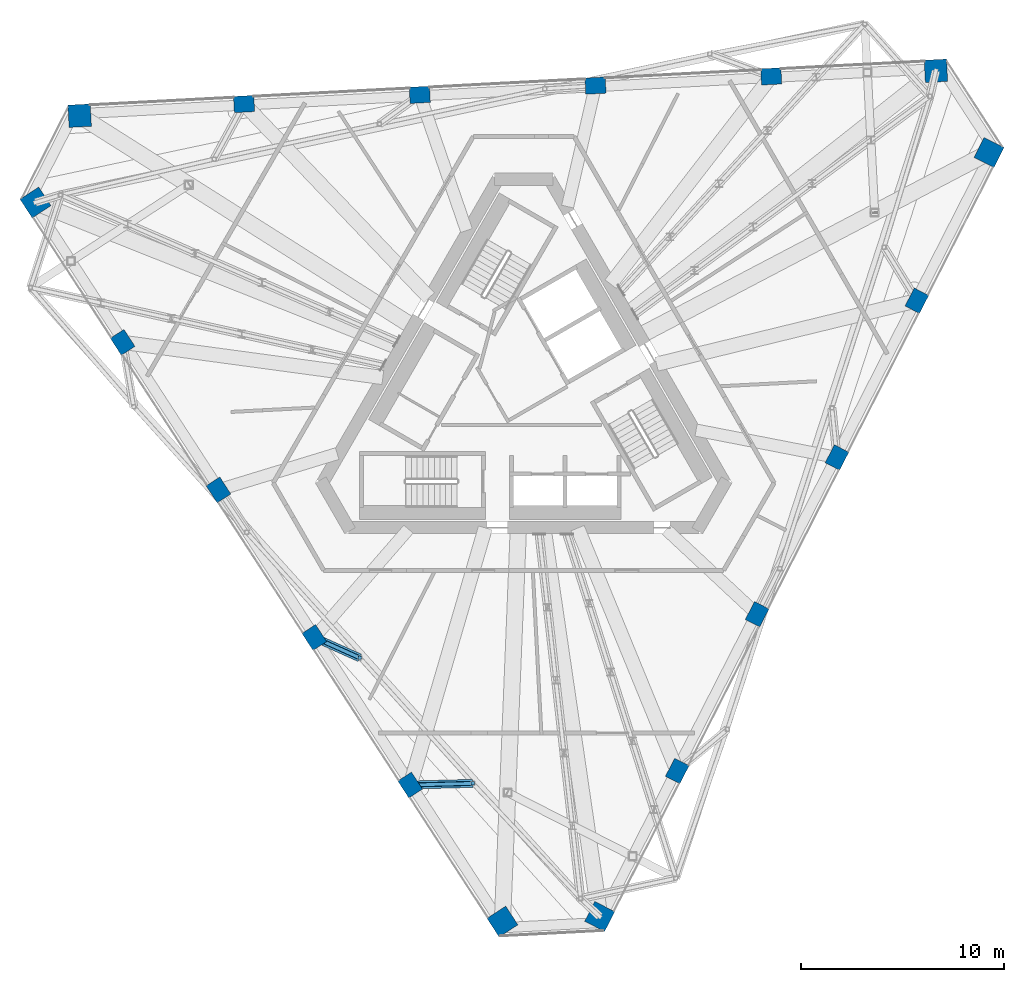
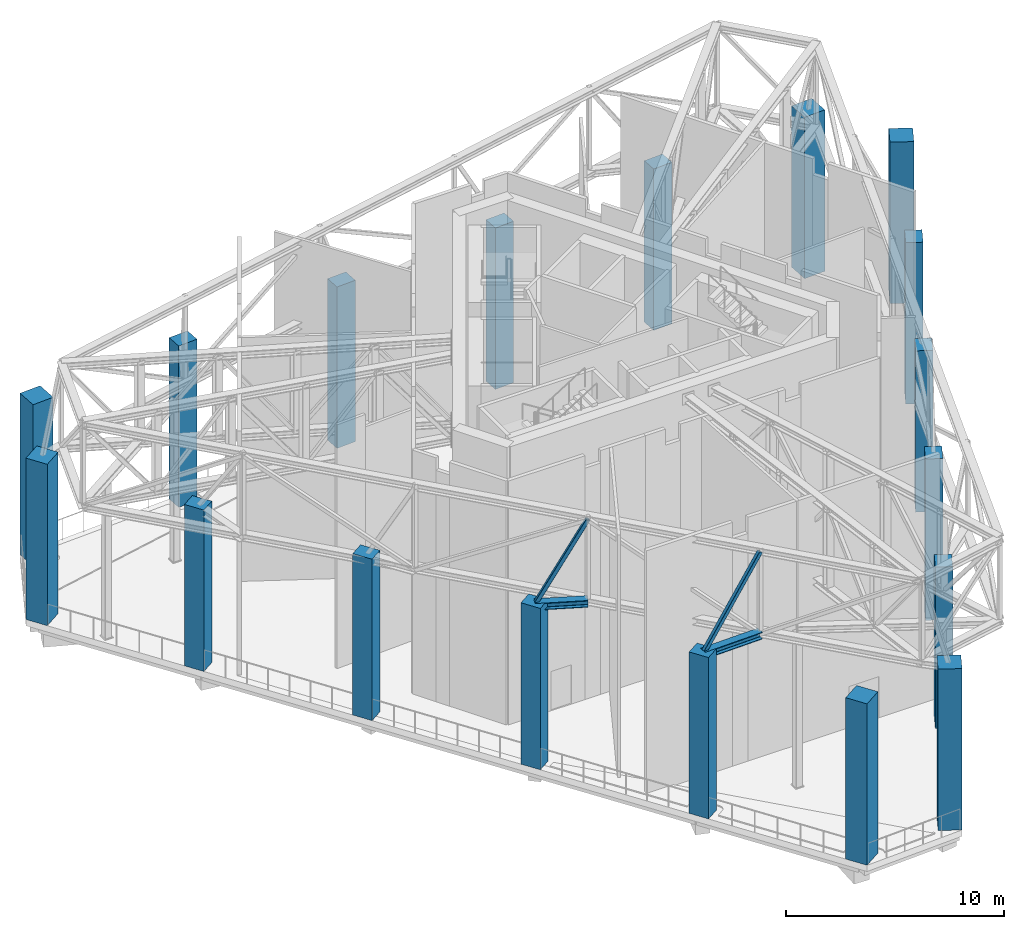
# One storey, part 1 of 23: 18 columns, 4 members.
"""IFC4 building model written with IfcOpenShell, lengths in metres."""

from ifc_helpers import new_model, si_unit, direction, frame, origin, origin_2d, place, context, subcontext, project, spatial, rectangle, hollow_rectangle, i_section, extrude, material, material_profile, profile_set, type_object, element, save


model = new_model("IFC4")

# Units and contexts
model_context = context("Model", 3, precision=1e-05, world=origin(), true_north=direction((0.0, 1.0)))
body_context = subcontext(model_context, "Body", "Model", "MODEL_VIEW")
ifc_project = project(units=[si_unit("LENGTHUNIT", "METRE"), si_unit("AREAUNIT", "SQUARE_METRE"), si_unit("VOLUMEUNIT", "CUBIC_METRE"), si_unit("PLANEANGLEUNIT", "RADIAN"), si_unit("MASSUNIT", "GRAM", prefix="KILO")], contexts=[model_context])

# Site, building, storey
site_placement = place(None, origin())
site = spatial("IfcSite", under=ifc_project, at=site_placement, CompositionType="ELEMENT")
building_placement = place(site_placement, origin())
building = spatial("IfcBuilding", under=site, at=building_placement, Name="Tramontana Tower", CompositionType="ELEMENT")
storey_placement = place(building_placement, frame((0.0, 0.0, 306.39990234375)))
storey = spatial("IfcBuildingStorey", under=building, at=storey_placement, Name="L72", CompositionType="ELEMENT", Elevation=306.39990234375)

# Columns
ifc_material_1 = material(Name="Concrete 55 MPa", Category="concrete")
ifc_material_profile_1 = material_profile(ifc_material_1, rectangle(XDim=1.10009765625, YDim=1.10009765625, at=origin_2d()), Name="Mega column 1100X1100 55 MPa")
ifc_profile_set_1 = profile_set([ifc_material_profile_1], Name="Concrete 55 MPa")
column_type_1 = type_object("IfcColumnType", Name="Mega column 1100X1100 55 MPa", PredefinedType="COLUMN", material=ifc_profile_set_1)
for number, where, z_axis, x_axis, name in (
    (1, (-24.0302734375, 9.55419921875, 0.0), (0.0, 0.0, 1.0), (0.544639035015, -0.838670567945, 0.0), "Mega column C7K1 L72"),
    (2, (-1.0458984375, -25.8388671875, 0.0), (0.0, 0.0, 1.0), (0.544639035015, -0.838670567945, 0.0), "Mega column C7K2 L72"),
    (3, (3.740966796875, -25.587890625, 0.0), (0.0, 0.0, 1.0), (0.45399049974, 0.891006524188, 0.0), "Mega column C7K3 L72"),
    (4, (22.900146484375, 12.013671875, 0.0), (0.0, 0.0, 1.0), (0.45399049974, 0.891006524188, 0.0), "Mega column C7K4 L72"),
    (5, (20.289306640625, 16.033935546875, 0.0), (0.0, 0.0, 1.0), (-0.998629534755, -0.052335956243, 0.0), "Mega column C7K5 L72"),
    (6, (-21.854248046875, 13.8251953125, 0.0), (0.0, 0.0, 1.0), (-0.998629534755, -0.052335956243, 0.0), "Mega column C7K6 L72"),
):
    element("IfcColumn", number, at=place(storey_placement, frame(where, z_axis=z_axis, x_axis=x_axis)), inside=storey, type_object=column_type_1, Name=name, PredefinedType="COLUMN", context=body_context, shape_type="SweptSolid", body=[
        extrude(rectangle(XDim=1.10009765625, YDim=1.10009765625, at=origin_2d()), origin(), (0.0, 0.0, 1.0), 9.037353515625),
    ])
ifc_material_2 = material(Name="Concrete 55 MPa", Category="concrete")
ifc_material_profile_2 = material_profile(ifc_material_2, rectangle(XDim=1.0, YDim=0.800048828125, at=origin_2d()), Name="Pier column 1000X800 55 MPa")
ifc_profile_set_2 = profile_set([ifc_material_profile_2], Name="Concrete 55 MPa")
column_type_2 = type_object("IfcColumnType", Name="Pier column 1000X800 55 MPa", PredefinedType="COLUMN", material=ifc_profile_set_2)
for number, where, z_axis, x_axis, name in (
    (7, (-19.739013671875, 2.670654296875, 0.0), (0.0, 0.0, 1.0), (0.544639035015, -0.838670567945, 0.0), "Pier column C7F01 L72"),
    (8, (-15.022216796875, -4.592529296875, 0.0), (0.0, 0.0, 1.0), (0.544639035015, -0.838670567945, 0.0), "Pier column C7F02 L72"),
    (9, (-10.3056640625, -11.855712890625, 0.0), (0.0, 0.0, 1.0), (0.544639035015, -0.838670567945, 0.0), "Pier column C7F03 L72"),
    (10, (-5.5888671875, -19.11865234375, 0.0), (0.0, 0.0, 1.0), (0.544639035015, -0.838670567945, 0.0), "Pier column C7F04 L72"),
    (11, (7.556640625, -18.4296875, 0.0), (0.0, 0.0, 1.0), (0.45399049974, 0.891006524188, 0.0), "Pier column C7F05 L72"),
    (12, (11.48828125, -10.71337890625, 0.0), (0.0, 0.0, 1.0), (0.45399049974, 0.891006524188, 0.0), "Pier column C7F06 L72"),
    (13, (15.419921875, -2.9970703125, 0.0), (0.0, 0.0, 1.0), (0.45399049974, 0.891006524188, 0.0), "Pier column C7F07 L72"),
    (14, (19.351806640625, 4.71923828125, 0.0), (0.0, 0.0, 1.0), (0.45399049974, 0.891006524188, 0.0), "Pier column C7F08 L72"),
    (15, (12.182373046875, 15.75927734375, 0.0), (0.0, 0.0, 1.0), (-0.998629534755, -0.052335956243, 0.0), "Pier column C7F09 L72"),
    (16, (3.533935546875, 15.305908203125, 0.0), (0.0, 0.0, 1.0), (-0.998629534755, -0.052335956243, 0.0), "Pier column C7F10 L72"),
    (17, (-5.114501953125, 14.852783203125, 0.0), (0.0, 0.0, 1.0), (-0.998629534755, -0.052335956243, 0.0), "Pier column C7F11 L72"),
    (18, (-13.762939453125, 14.3994140625, 0.0), (0.0, 0.0, 1.0), (-0.998629534755, -0.052335956243, 0.0), "Pier column C7F12 L72"),
):
    element("IfcColumn", number, at=place(storey_placement, frame(where, z_axis=z_axis, x_axis=x_axis)), inside=storey, type_object=column_type_2, Name=name, PredefinedType="COLUMN", context=body_context, shape_type="SweptSolid", body=[
        extrude(rectangle(XDim=1.0, YDim=0.800048828125, at=origin_2d()), origin(), (0.0, 0.0, 1.0), 9.037353515625),
    ])

# Members
ifc_material_3 = material(Name="Steel ASTM A500 Grade C", Category="steel")
ifc_material_profile_3 = material_profile(ifc_material_3, hollow_rectangle(XDim=0.203125, YDim=0.203125, WallThickness=0.0087890625, InnerFilletRadius=0.0087890625, OuterFilletRadius=0.017822265625, at=origin_2d()), Name="HSS8X8X3/8")
ifc_profile_set_3 = profile_set([ifc_material_profile_3], Name="Steel ASTM A500 Grade C")
member_type_1 = type_object("IfcMemberType", Name="Transfer truss HSS8X8X3/8 brace", PredefinedType="BRACE", material=ifc_profile_set_3)
member_1_placement = place(storey_placement, frame((-10.3056640625, -11.855712890625, 8.84375), z_axis=(0.428302962862, -0.191951142348, 0.883012644844), x_axis=(0.408972985221, 0.91254649052, 0.0)))
element("IfcMember", 19, at=member_1_placement, inside=storey, type_object=member_type_1, Name="Transfer truss strut C8F03 diagonal", PredefinedType="BRACE", context=body_context, shape_type="SweptSolid", body=[
    extrude(hollow_rectangle(XDim=0.203125, YDim=0.203125, WallThickness=0.0087890625, InnerFilletRadius=0.0087890625, OuterFilletRadius=0.017822265625, at=origin_2d()), origin(), (0.0, 0.0, 1.0), 5.2236328125),
])
member_2_placement = place(storey_placement, frame((-5.5888671875, -19.11865234375, 8.84375), z_axis=(0.555695445677, 0.014739348717, 0.83125526961), x_axis=(-0.026514823499, 0.999648420263, 0.0)))
element("IfcMember", 20, at=member_2_placement, inside=storey, type_object=member_type_1, Name="Transfer truss strut C8F04 diagonal", PredefinedType="BRACE", context=body_context, shape_type="SweptSolid", body=[
    extrude(hollow_rectangle(XDim=0.203125, YDim=0.203125, WallThickness=0.0087890625, InnerFilletRadius=0.0087890625, OuterFilletRadius=0.017822265625, at=origin_2d()), origin(), (0.0, 0.0, 1.0), 5.548828125),
])
ifc_material_4 = material(Name="Steel ASTM A992 Grade 50", Category="steel")
ifc_material_profile_4 = material_profile(ifc_material_4, i_section(OverallWidth=0.39697265625, OverallDepth=0.387451171875, WebThickness=0.020751953125, FlangeThickness=0.033447265625, FilletRadius=0.01513671875, at=origin_2d()), Name="W14X176")
ifc_profile_set_4 = profile_set([ifc_material_profile_4], Name="Steel ASTM A992 Grade 50")
member_type_2 = type_object("IfcMemberType", Name="Transfer truss W14X176 strut", PredefinedType="STRUT", material=ifc_profile_set_4)
member_3_placement = place(storey_placement, frame((-10.3056640625, -11.855712890625, 8.84375), z_axis=(0.91254649052, -0.408972985221, 0.0), x_axis=(0.408972985221, 0.91254649052, 0.0)))
element("IfcMember", 21, at=member_3_placement, inside=storey, type_object=member_type_2, Name="Transfer truss strut C8F03 bottom", PredefinedType="STRUT", context=body_context, shape_type="SweptSolid", body=[
    extrude(i_section(OverallWidth=0.39697265625, OverallDepth=0.387451171875, WebThickness=0.020751953125, FlangeThickness=0.033447265625, FilletRadius=0.01513671875, at=origin_2d()), origin(), (0.0, 0.0, 1.0), 2.45166015625),
])
member_4_placement = place(storey_placement, frame((-5.5888671875, -19.11865234375, 8.84375), z_axis=(0.999648420263, 0.026514823499, 0.0), x_axis=(-0.026514823499, 0.999648420263, 0.0)))
element("IfcMember", 22, at=member_4_placement, inside=storey, type_object=member_type_2, Name="Transfer truss strut C8F04 bottom", PredefinedType="STRUT", context=body_context, shape_type="SweptSolid", body=[
    extrude(i_section(OverallWidth=0.39697265625, OverallDepth=0.387451171875, WebThickness=0.020751953125, FlangeThickness=0.033447265625, FilletRadius=0.01513671875, at=origin_2d()), origin(), (0.0, 0.0, 1.0), 3.08447265625),
])

save(model, "model.ifc")
